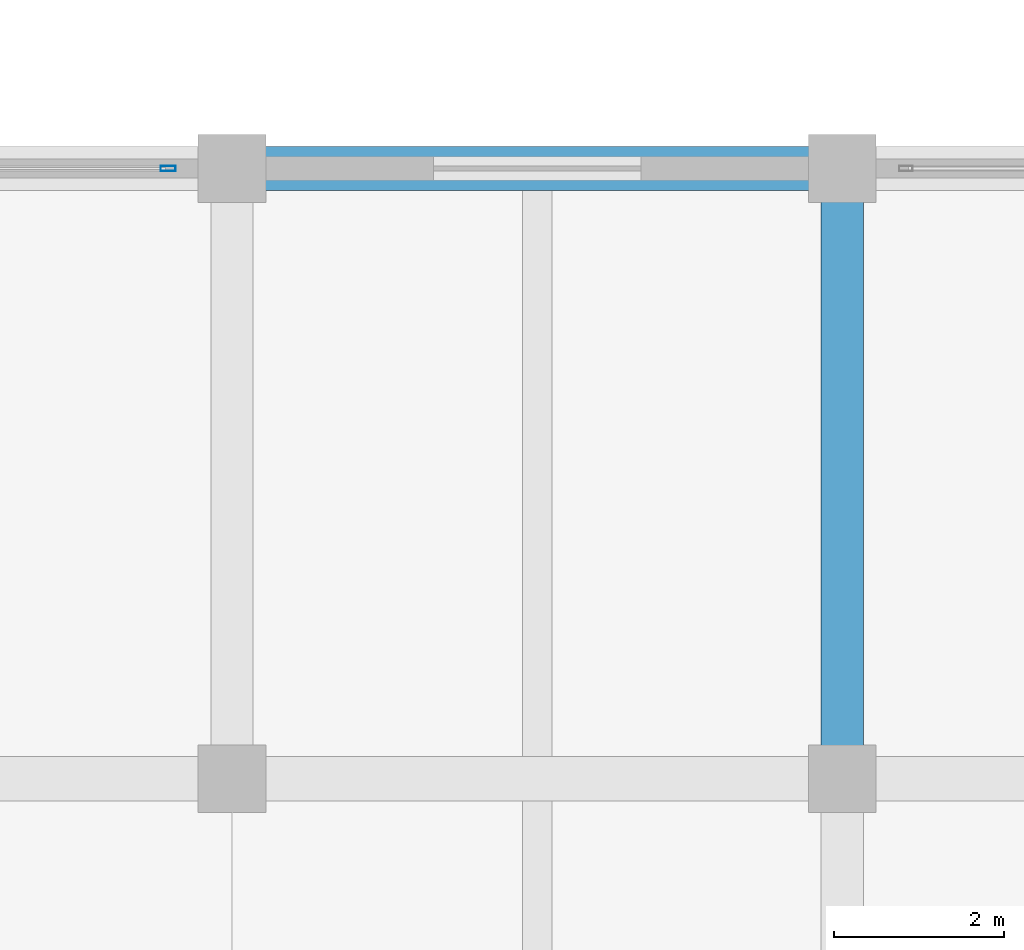
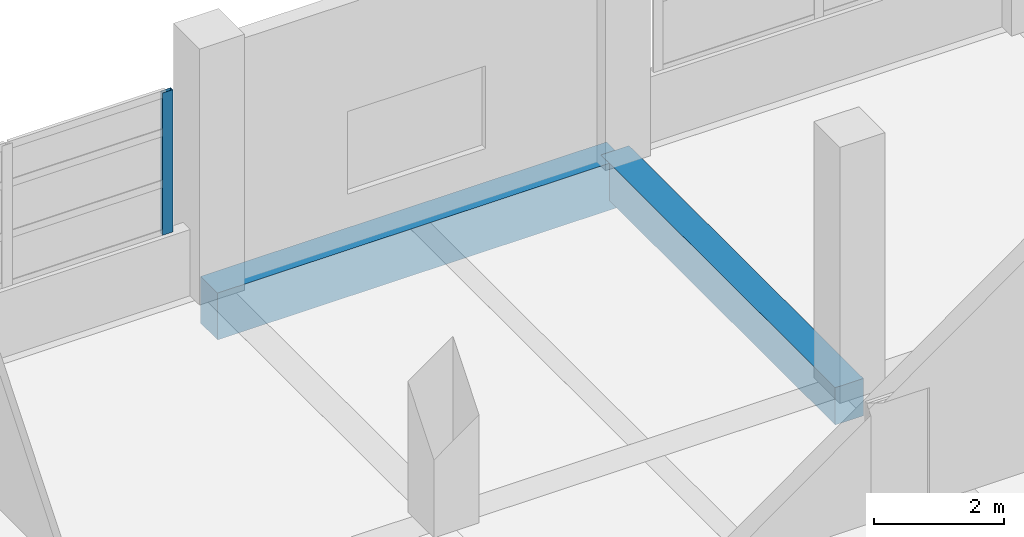
# One storey, part 30 of 140: 2 beams, 1 member, 1 element without a shape of its own.
"""IFC4 building model written with IfcOpenShell, lengths in metres."""

from ifc_helpers import new_model, si_unit, direction, frame, origin, origin_2d, place, context, subcontext, project, spatial, rectangle, hollow_rectangle, extrude, material, layer, layer_set, material_profile, profile_set, type_object, element, aggregate, save


model = new_model("IFC4")

# Units and contexts
model_context = context("Model", 3, precision=1e-05, world=origin(), true_north=direction((0.0, 1.0)))
body_context = subcontext(model_context, "Body", "Model", "MODEL_VIEW")
ifc_project = project(units=[si_unit("LENGTHUNIT", "METRE"), si_unit("AREAUNIT", "SQUARE_METRE"), si_unit("VOLUMEUNIT", "CUBIC_METRE"), si_unit("PLANEANGLEUNIT", "RADIAN"), si_unit("MASSUNIT", "GRAM", prefix="KILO")], contexts=[model_context])

# Site, building, storey
site_placement = place(None, origin())
site = spatial("IfcSite", under=ifc_project, at=site_placement, CompositionType="ELEMENT")
building_placement = place(site_placement, origin())
building = spatial("IfcBuilding", under=site, at=building_placement, Name="Seraya Terrace Polytechnic", CompositionType="ELEMENT")
storey_placement = place(building_placement, frame((0.0, 0.0, 9.60009765625)))
storey = spatial("IfcBuildingStorey", under=building, at=storey_placement, Name="L02", CompositionType="ELEMENT", Elevation=9.60009765625)

# Beams
ifc_material_1 = material(Name="Concrete C40/50", Category="concrete")
ifc_material_profile_1 = material_profile(ifc_material_1, rectangle(XDim=0.52001953125, YDim=0.8798828125, at=origin_2d()), Name="RC 520x880")
ifc_profile_set_1 = profile_set([ifc_material_profile_1], Name="Concrete C40/50")
beam_type_1 = type_object("IfcBeamType", Name="BM-04", PredefinedType="BEAM", material=ifc_profile_set_1)
beam_1_placement = place(storey_placement, frame((64.800048828125, 28.800048828125, -0.440185546875), z_axis=(1.0, 0.0, 0.0), x_axis=(0.0, 1.0, 0.0)))
element("IfcBeam", 1, at=beam_1_placement, inside=storey, type_object=beam_type_1, Name="Beam BM-04 L02 X (64.8..72.0, 28.8)", PredefinedType="BEAM", context=body_context, shape_type="SweptSolid", body=[
    extrude(rectangle(XDim=0.52001953125, YDim=0.8798828125, at=origin_2d()), origin(), (0.0, 0.0, 1.0), 7.199951171875),
])
ifc_material_profile_2 = material_profile(ifc_material_1, rectangle(XDim=0.5, YDim=0.699951171875, at=origin_2d()), Name="RC 500x700")
ifc_profile_set_2 = profile_set([ifc_material_profile_2], Name="Concrete C40/50")
beam_type_2 = type_object("IfcBeamType", Name="BM-07", PredefinedType="BEAM", material=ifc_profile_set_2)
beam_2_placement = place(storey_placement, frame((72.0, 21.60009765625, -0.35009765625), z_axis=(0.0, 1.0, 0.0), x_axis=(-1.0, 0.0, 0.0)))
element("IfcBeam", 2, at=beam_2_placement, inside=storey, type_object=beam_type_2, Name="Beam BM-07 L02 Y (72.0, 21.6..28.8)", PredefinedType="BEAM", context=body_context, shape_type="SweptSolid", body=[
    extrude(rectangle(XDim=0.5, YDim=0.699951171875, at=origin_2d()), origin(), (0.0, 0.0, 1.0), 7.199951171875),
])

# Curtain wall, member
ifc_material_2 = material(Name="Anodised aluminium EN AW-6063 T6", Category="aluminium")
ifc_layer = layer(ifc_material_2, 0.179931640625, Name="CW-07")
ifc_layer_set = layer_set([ifc_layer], Name="Anodised aluminium EN AW-6063 T6")
curtain_wall_type = type_object("IfcCurtainWallType", Name="CW-07", PredefinedType="NOTDEFINED", material=ifc_layer_set)
curtain_wall_placement = place(storey_placement, origin())
curtain_wall = element("IfcCurtainWall", 3, at=curtain_wall_placement, inside=storey, type_object=curtain_wall_type, Name="Unitised curtain wall CW-07 (CW-L02-079)", PredefinedType="NOTDEFINED")
ifc_material_profile_3 = material_profile(ifc_material_2, hollow_rectangle(XDim=0.06494140625, YDim=0.179931640625, WallThickness=0.00390625, at=origin_2d()), Name="RHS 180x65x4.0")
ifc_profile_set_3 = profile_set([ifc_material_profile_3], Name="Anodised aluminium EN AW-6063 T6")
member_type = type_object("IfcMemberType", Name="CWM-01", PredefinedType="MULLION", material=ifc_profile_set_3)
member_placement = place(storey_placement, frame((64.047607421875, 28.800048828125, 1.239990234375), z_axis=(0.0, 0.0, 1.0), x_axis=(0.0, 1.0, 0.0)))
member = element("IfcMember", 4, at=member_placement, type_object=member_type, Name="CW-07 mullion 3", PredefinedType="MULLION", context=body_context, shape_type="SweptSolid", body=[
    extrude(hollow_rectangle(XDim=0.06494140625, YDim=0.179931640625, WallThickness=0.00390625, at=origin_2d()), origin(), (0.0, 0.0, 1.0), 2.669921875),
])
aggregate(curtain_wall, [member])

save(model, "model.ifc")
